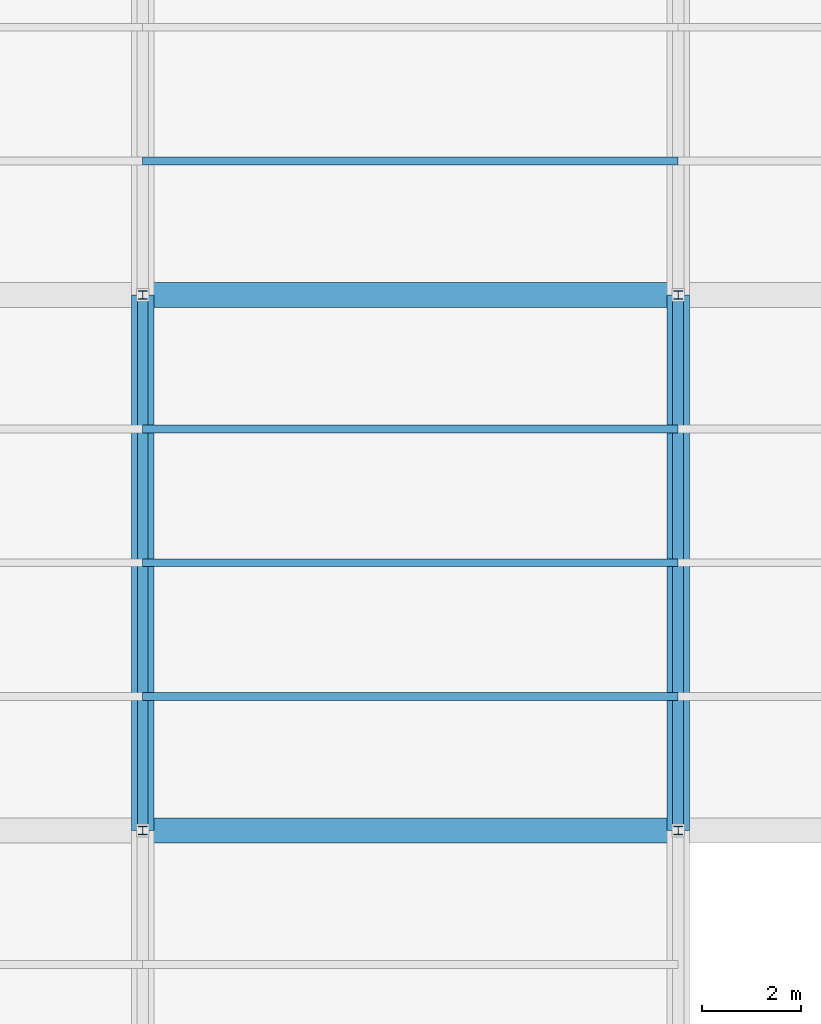
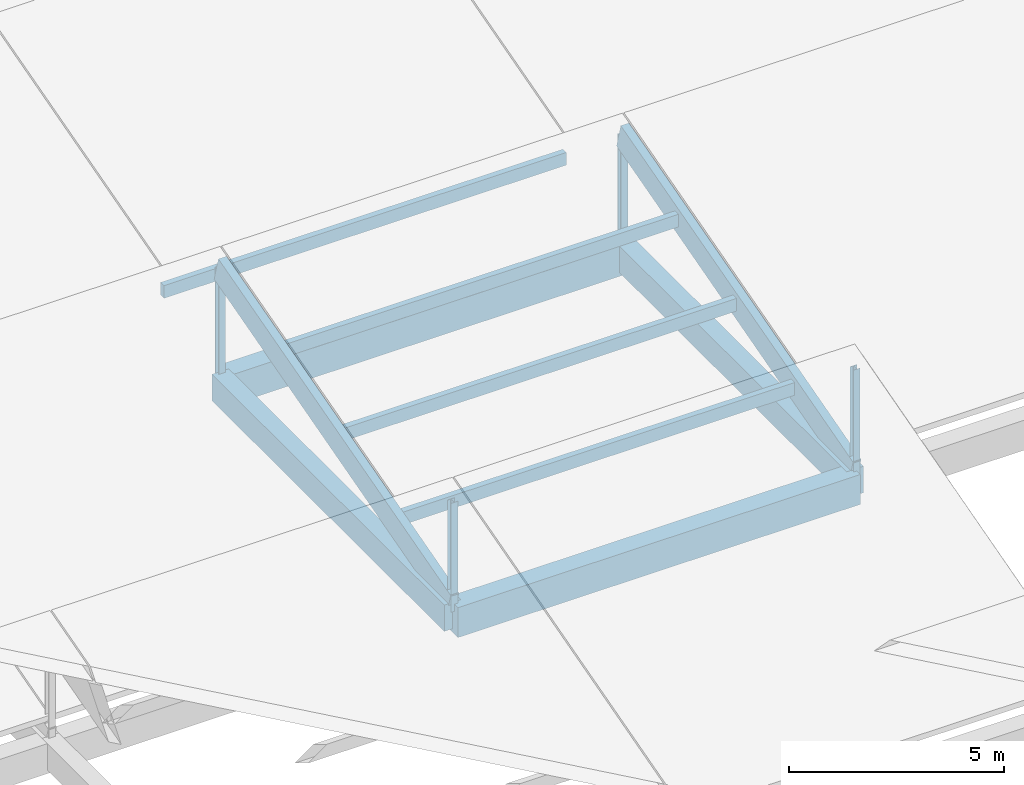
# One storey, part 25 of 112: 10 members, 4 beams.
"""IFC4 building model written with IfcOpenShell, lengths in metres."""

from ifc_helpers import new_model, si_unit, direction, frame, origin, origin_2d, place, context, subcontext, project, spatial, rectangle, i_section, extrude, material, material_profile, profile_set, type_object, element, save


model = new_model("IFC4")

# Units and contexts
model_context = context("Model", 3, precision=1e-05, world=origin(), true_north=direction((0.0, 1.0)))
body_context = subcontext(model_context, "Body", "Model", "MODEL_VIEW")
ifc_project = project(units=[si_unit("LENGTHUNIT", "METRE"), si_unit("AREAUNIT", "SQUARE_METRE"), si_unit("VOLUMEUNIT", "CUBIC_METRE"), si_unit("PLANEANGLEUNIT", "RADIAN"), si_unit("MASSUNIT", "GRAM", prefix="KILO")], contexts=[model_context])

# Site, building, storey
site_placement = place(None, origin())
site = spatial("IfcSite", under=ifc_project, at=site_placement, CompositionType="ELEMENT")
building_placement = place(site_placement, origin())
building = spatial("IfcBuilding", under=site, at=building_placement, Name="Zwinboog Wholesale Market", CompositionType="ELEMENT")
storey_placement = place(building_placement, frame((0.0, 0.0, 19.080078125)))
storey = spatial("IfcBuildingStorey", under=building, at=storey_placement, Name="Roof", CompositionType="ELEMENT", Elevation=19.080078125)

# Beams
ifc_material_1 = material(Name="Precast concrete C45/55", Category="concrete")
ifc_material_profile_1 = material_profile(ifc_material_1, rectangle(XDim=0.5, YDim=0.85009765625, at=origin_2d()), Name="PC 500x850")
ifc_profile_set_1 = profile_set([ifc_material_profile_1], Name="Precast concrete C45/55")
beam_type_1 = type_object("IfcBeamType", Name="BT-03", PredefinedType="BEAM", material=ifc_profile_set_1)
for number, where, z_axis, x_axis, name in (
    (1, (32.39990234375, 64.800048828125, -9.425048828125), (1.0, 0.0, 0.0), (0.0, 1.0, 0.0), "BG-03 (BMG-Roof-0324-0648-1174)"),
    (2, (32.39990234375, 75.60009765625, -9.425048828125), (1.0, 0.0, 0.0), (0.0, 1.0, 0.0), "BG-03 (BMG-Roof-0324-0756-1178)"),
):
    element("IfcBeam", number, at=place(storey_placement, frame(where, z_axis=z_axis, x_axis=x_axis)), inside=storey, type_object=beam_type_1, Name=name, PredefinedType="BEAM", context=body_context, shape_type="SweptSolid", body=[
        extrude(rectangle(XDim=0.5, YDim=0.85009765625, at=origin_2d()), origin(), (0.0, 0.0, 1.0), 10.800048828125),
    ])
ifc_material_profile_2 = material_profile(ifc_material_1, rectangle(XDim=0.449951171875, YDim=0.75, at=origin_2d()), Name="PC 450x750")
ifc_profile_set_2 = profile_set([ifc_material_profile_2], Name="Precast concrete C45/55")
beam_type_2 = type_object("IfcBeamType", Name="BT-04", PredefinedType="BEAM", material=ifc_profile_set_2)
for number, where, z_axis, x_axis, name in (
    (3, (32.39990234375, 64.800048828125, -9.375), (0.0, 1.0, 0.0), (-1.0, 0.0, 0.0), "BG-04 (BMG-Roof-0324-0648-1237)"),
    (4, (43.199951171875, 64.800048828125, -9.375), (0.0, 1.0, 0.0), (-1.0, 0.0, 0.0), "BG-04 (BMG-Roof-0432-0648-1247)"),
):
    element("IfcBeam", number, at=place(storey_placement, frame(where, z_axis=z_axis, x_axis=x_axis)), inside=storey, type_object=beam_type_2, Name=name, PredefinedType="BEAM", context=body_context, shape_type="SweptSolid", body=[
        extrude(rectangle(XDim=0.449951171875, YDim=0.75, at=origin_2d()), origin(), (0.0, 0.0, 1.0), 10.800048828125),
    ])

# Members
ifc_material_2 = material(Name="Steel S355", Category="steel")
ifc_material_profile_3 = material_profile(ifc_material_2, i_section(OverallWidth=0.179931640625, OverallDepth=0.1708984375, WebThickness=0.006103515625, FlangeThickness=0.009521484375, FilletRadius=0.014892578125, at=origin_2d()), Name="HEA 180")
ifc_profile_set_3 = profile_set([ifc_material_profile_3], Name="Steel S355")
member_type_1 = type_object("IfcMemberType", Name="MT-07", PredefinedType="BRACE", material=ifc_profile_set_3)
for number, where, z_axis, x_axis, name in (
    (5, (32.39990234375, 64.800048828125, -9.2001953125), (0.0, 0.0, 1.0), (1.0, 0.0, 0.0), "DB-04 (MEM-Roof-0768)"),
    (6, (43.199951171875, 64.800048828125, -9.2001953125), (0.0, 0.0, 1.0), (1.0, 0.0, 0.0), "DB-04 (MEM-Roof-0770)"),
):
    element("IfcMember", number, at=place(storey_placement, frame(where, z_axis=z_axis, x_axis=x_axis)), inside=storey, type_object=member_type_1, Name=name, PredefinedType="BRACE", context=body_context, shape_type="SweptSolid", body=[
        extrude(i_section(OverallWidth=0.179931640625, OverallDepth=0.1708984375, WebThickness=0.006103515625, FlangeThickness=0.009521484375, FilletRadius=0.014892578125, at=origin_2d()), origin(), (0.0, 0.0, 1.0), 3.0869140625),
    ])
for number, where, z_axis, x_axis, name in (
    (7, (32.39990234375, 75.60009765625, -9.2001953125), (0.0, 0.0, 1.0), (1.0, 0.0, 0.0), "DB-04 (MEM-Roof-0786)"),
    (8, (43.199951171875, 75.60009765625, -9.2001953125), (0.0, 0.0, 1.0), (1.0, 0.0, 0.0), "DB-04 (MEM-Roof-0788)"),
):
    element("IfcMember", number, at=place(storey_placement, frame(where, z_axis=z_axis, x_axis=x_axis)), inside=storey, type_object=member_type_1, Name=name, PredefinedType="BRACE", context=body_context, shape_type="SweptSolid", body=[
        extrude(i_section(OverallWidth=0.179931640625, OverallDepth=0.1708984375, WebThickness=0.006103515625, FlangeThickness=0.009521484375, FilletRadius=0.014892578125, at=origin_2d()), origin(), (0.0, 0.0, 1.0), 3.14697265625),
    ])
ifc_material_3 = material(Name="Glulam GL28h", Category="wood")
ifc_material_profile_4 = material_profile(ifc_material_3, rectangle(XDim=0.219970703125, YDim=0.719970703125, at=origin_2d()), Name="GL28h 220x720")
ifc_profile_set_4 = profile_set([ifc_material_profile_4], Name="Glulam GL28h")
member_type_2 = type_object("IfcMemberType", Name="MT-10", PredefinedType="RAFTER", material=ifc_profile_set_4)
for number, where, z_axis, x_axis, name in (
    (9, (32.39990234375, 64.800048828125, -9.05322265625), (0.0, 0.963518221675, 0.26764274042), (-1.0, 0.0, 0.0), "GR-02 (MEM-Roof-0787)"),
    (10, (43.199951171875, 64.800048828125, -9.05322265625), (0.0, 0.963518221675, 0.26764274042), (-1.0, 0.0, 0.0), "GR-02 (MEM-Roof-0789)"),
):
    element("IfcMember", number, at=place(storey_placement, frame(where, z_axis=z_axis, x_axis=x_axis)), inside=storey, type_object=member_type_2, Name=name, PredefinedType="RAFTER", context=body_context, shape_type="SweptSolid", body=[
        extrude(rectangle(XDim=0.219970703125, YDim=0.719970703125, at=origin_2d()), origin(), (0.0, 0.0, 1.0), 11.208984375),
    ])
ifc_material_profile_5 = material_profile(ifc_material_3, rectangle(XDim=0.159912109375, YDim=0.360107421875, at=origin_2d()), Name="GL28h 160x360")
ifc_profile_set_5 = profile_set([ifc_material_profile_5], Name="Glulam GL28h")
member_type_3 = type_object("IfcMemberType", Name="MT-12", PredefinedType="PURLIN", material=ifc_profile_set_5)
for number, where, z_axis, x_axis, name in (
    (11, (32.39990234375, 67.5, -8.273193359375), (1.0, 0.0, 0.0), (0.0, 1.0, 0.0), "GP-01 (MEM-Roof-0790)"),
    (12, (32.39990234375, 72.89990234375, -6.773193359375), (1.0, 0.0, 0.0), (0.0, 1.0, 0.0), "GP-01 (MEM-Roof-0791)"),
    (13, (32.39990234375, 78.300048828125, -8.333251953125), (1.0, 0.0, 0.0), (0.0, 1.0, 0.0), "GP-01 (MEM-Roof-0808)"),
    (14, (32.39990234375, 70.199951171875, -7.523193359375), (1.0, 0.0, 0.0), (0.0, 1.0, 0.0), "GP-01 (MEM-PRL-Roof-0028)"),
):
    element("IfcMember", number, at=place(storey_placement, frame(where, z_axis=z_axis, x_axis=x_axis)), inside=storey, type_object=member_type_3, Name=name, PredefinedType="PURLIN", context=body_context, shape_type="SweptSolid", body=[
        extrude(rectangle(XDim=0.159912109375, YDim=0.360107421875, at=origin_2d()), origin(), (0.0, 0.0, 1.0), 10.800048828125),
    ])

save(model, "model.ifc")
